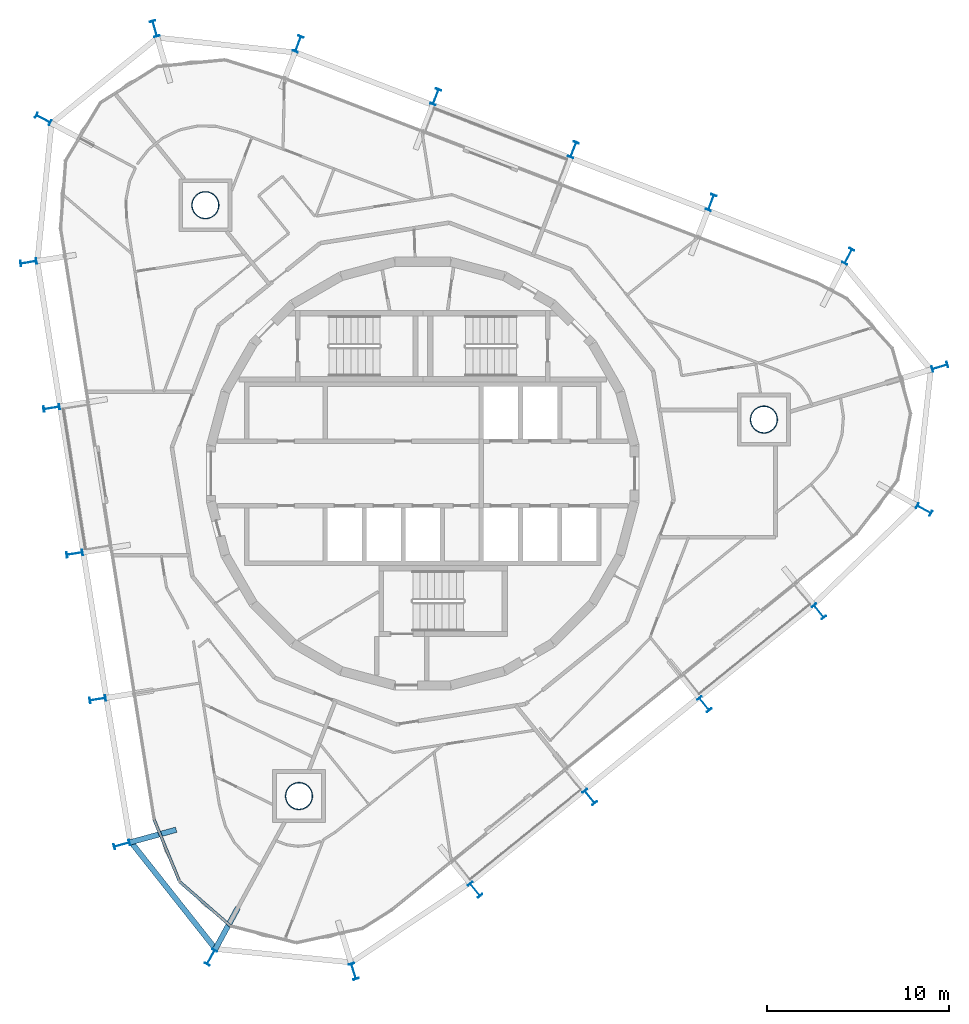
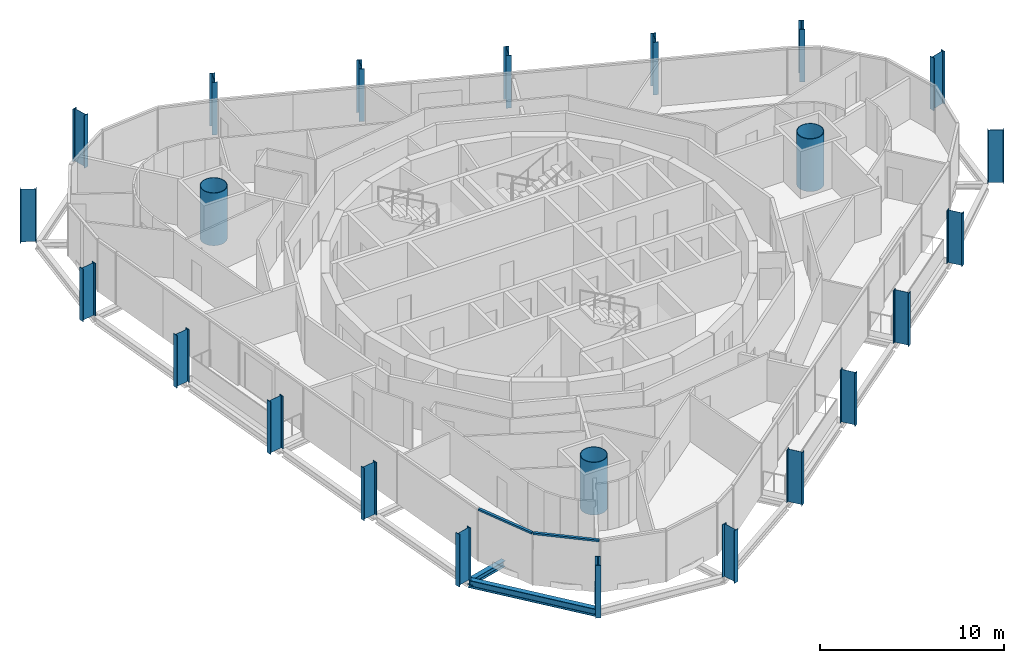
# One storey, part 1 of 17: 23 columns, 3 beams, 2 members, 1 element without a shape of its own.
"""IFC4 building model written with IfcOpenShell, lengths in metres."""

from ifc_helpers import new_model, si_unit, direction, frame, origin, origin_2d, place, context, subcontext, project, spatial, rectangle, hollow_circle, i_section, extrude, material, layer, layer_set, material_profile, profile_set, type_object, element, aggregate, save


model = new_model("IFC4")

# Units and contexts
model_context = context("Model", 3, precision=1e-05, world=origin(), true_north=direction((0.0, 1.0)))
body_context = subcontext(model_context, "Body", "Model", "MODEL_VIEW")
ifc_project = project(units=[si_unit("LENGTHUNIT", "METRE"), si_unit("AREAUNIT", "SQUARE_METRE"), si_unit("VOLUMEUNIT", "CUBIC_METRE"), si_unit("PLANEANGLEUNIT", "RADIAN"), si_unit("MASSUNIT", "GRAM", prefix="KILO")], contexts=[model_context])

# Site, building, storey
site_placement = place(None, origin())
site = spatial("IfcSite", under=ifc_project, at=site_placement, CompositionType="ELEMENT")
building_placement = place(site_placement, origin())
building = spatial("IfcBuilding", under=site, at=building_placement, Name="Spindle Arch Residences", CompositionType="ELEMENT")
storey_placement = place(building_placement, frame((0.0, 0.0, 284.39990234375)))
storey = spatial("IfcBuildingStorey", under=building, at=storey_placement, Name="L73", CompositionType="ELEMENT", Elevation=284.39990234375)

# Columns
ifc_material_1 = material(Name="Steel S460ML, intumescent coating R 240", Category="steel")
ifc_material_profile_1 = material_profile(ifc_material_1, i_section(OverallWidth=0.300048828125, OverallDepth=0.89990234375, WebThickness=0.0185546875, FlangeThickness=0.034912109375, FilletRadius=0.030029296875, at=origin_2d()), Name="HEB 900")
ifc_profile_set_1 = profile_set([ifc_material_profile_1], Name="Steel S460ML, intumescent coating R 240")
column_type_1 = type_object("IfcColumnType", Name="Exoskeleton post HEB 900", PredefinedType="COLUMN", material=ifc_profile_set_1)
for number, where, z_axis, x_axis, name in (
    (1, (15.48291015625, -12.67822265625, -0.3798828125), (0.0, 0.0, 1.0), (-0.777146167973, -0.629320136024, 0.0), "Exoskeleton post 1"),
    (2, (21.78369140625, -7.575927734375, -0.3798828125), (0.0, 0.0, 1.0), (-0.777146167973, -0.629320136024, 0.0), "Exoskeleton post 2"),
    (3, (27.56494140625, -1.975830078125, -0.3798828125), (0.0, 0.0, 1.0), (-0.489802299008, -0.871833532211, 0.0), "Exoskeleton post 3"),
    (4, (28.43505859375, 5.86767578125, -0.3798828125), (0.0, 0.0, 1.0), (0.286784074183, -0.957995247794, 0.0), "Exoskeleton post 4"),
    (5, (23.398193359375, 11.94287109375, -0.3798828125), (0.0, 0.0, 1.0), (0.888285893192, -0.45929094478, 0.0), "Exoskeleton post 5"),
    (6, (15.853515625, 14.9052734375, -0.3798828125), (0.0, 0.0, 1.0), (0.933580354843, -0.35836813621, 0.0), "Exoskeleton post 6"),
    (7, (8.2841796875, 17.810791015625, -0.3798828125), (0.0, 0.0, 1.0), (0.933580354843, -0.35836813621, 0.0), "Exoskeleton post 7"),
    (8, (0.715087890625, 20.71630859375, -0.3798828125), (0.0, 0.0, 1.0), (0.933580354843, -0.35836813621, 0.0), "Exoskeleton post 8"),
    (9, (-6.85400390625, 23.621826171875, -0.3798828125), (0.0, 0.0, 1.0), (0.933580354843, -0.35836813621, 0.0), "Exoskeleton post 9"),
    (10, (-14.7373046875, 24.468994140625, -0.3798828125), (0.0, 0.0, 1.0), (0.961245152333, 0.275695043693, 0.0), "Exoskeleton post 10"),
    (11, (-20.870361328125, 19.502685546875, -0.3798828125), (0.0, 0.0, 1.0), (0.469525073676, 0.882919138534, 0.0), "Exoskeleton post 11"),
    (12, (-21.6806640625, 11.615234375, -0.3798828125), (0.0, 0.0, 1.0), (-0.156434064006, 0.987688404113, 0.0), "Exoskeleton post 12"),
    (13, (-20.412353515625, 3.607666015625, -0.3798828125), (0.0, 0.0, 1.0), (-0.156434064006, 0.987688404113, 0.0), "Exoskeleton post 13"),
    (14, (-19.143798828125, -4.400146484375, -0.3798828125), (0.0, 0.0, 1.0), (-0.156434064006, 0.987688404113, 0.0), "Exoskeleton post 14"),
    (15, (-17.87548828125, -12.407958984375, -0.3798828125), (0.0, 0.0, 1.0), (-0.156434064006, 0.987688404113, 0.0), "Exoskeleton post 15"),
    (16, (-16.546630859375, -20.40380859375, -0.3798828125), (0.0, 0.0, 1.0), (-0.264568938302, 0.964366775084, 0.0), "Exoskeleton post 16"),
    (17, (-11.651611328125, -26.59375, -0.3798828125), (0.0, 0.0, 1.0), (-0.877434810632, 0.479695896472, 0.0), "Exoskeleton post 17"),
    (18, (-3.79833984375, -27.373291015625, -0.3798828125), (0.0, 0.0, 1.0), (-0.95461733225, -0.297835103654, 0.0), "Exoskeleton post 18"),
    (19, (2.88134765625, -22.8828125, -0.3798828125), (0.0, 0.0, 1.0), (-0.777146167973, -0.629320136024, 0.0), "Exoskeleton post 19"),
    (20, (9.18212890625, -17.780517578125, -0.3798828125), (0.0, 0.0, 1.0), (-0.777146167973, -0.629320136024, 0.0), "Exoskeleton post 20"),
):
    element("IfcColumn", number, at=place(storey_placement, frame(where, z_axis=z_axis, x_axis=x_axis)), inside=storey, type_object=column_type_1, Name=name, PredefinedType="COLUMN", context=body_context, shape_type="SweptSolid", body=[
        extrude(i_section(OverallWidth=0.300048828125, OverallDepth=0.89990234375, WebThickness=0.0185546875, FlangeThickness=0.034912109375, FilletRadius=0.030029296875, at=origin_2d()), origin(), (0.0, 0.0, 1.0), 3.5),
    ])
ifc_material_2 = material(Name="Concrete C50/60 filled steel tube S460ML, intumescent coating R 240", Category="concrete")
ifc_material_profile_2 = material_profile(ifc_material_2, hollow_circle(Radius=0.75, WallThickness=0.034912109375, at=origin_2d()), Name="CFT D1500x35")
ifc_profile_set_2 = profile_set([ifc_material_profile_2], Name="Concrete C50/60 filled steel tube S460ML, intumescent coating R 240")
column_type_2 = type_object("IfcColumnType", Name="Mega-column CFT D1500x35", PredefinedType="COLUMN", material=ifc_profile_set_2)
for number, where, z_axis, x_axis, name in (
    (21, (18.759521484375, 2.97119140625, -0.3798828125), (0.0, 0.0, 1.0), (1.0, 0.0, 0.0), "Mega-column 1"),
    (22, (-11.952880859375, 14.760498046875, -0.3798828125), (0.0, 0.0, 1.0), (1.0, 0.0, 0.0), "Mega-column 2"),
    (23, (-6.806640625, -17.731689453125, -0.3798828125), (0.0, 0.0, 1.0), (1.0, 0.0, 0.0), "Mega-column 3"),
):
    element("IfcColumn", number, at=place(storey_placement, frame(where, z_axis=z_axis, x_axis=x_axis)), inside=storey, type_object=column_type_2, Name=name, PredefinedType="COLUMN", context=body_context, shape_type="SweptSolid", body=[
        extrude(hollow_circle(Radius=0.75, WallThickness=0.034912109375, at=origin_2d()), origin(), (0.0, 0.0, 1.0), 3.5),
    ])

# Curtain wall, members
ifc_material_3 = material(Name="Aluminium bronze unitised frame with tinted glass", Category="aluminium")
ifc_layer = layer(ifc_material_3, 0.159912109375)
ifc_layer_set = layer_set([ifc_layer], Name="CW-D corner wall on the fillet arcs")
curtain_wall_type = type_object("IfcCurtainWallType", Name="CW-D corner wall on the fillet arcs", PredefinedType="NOTDEFINED", material=ifc_layer_set)
curtain_wall_placement = place(storey_placement, origin())
curtain_wall = element("IfcCurtainWall", 24, at=curtain_wall_placement, inside=storey, type_object=curtain_wall_type, Name="CW-D L73 run 5", PredefinedType="NOTDEFINED")
ifc_material_4 = material(Name="Aluminium bronze anodised transom", Category="aluminium")
ifc_material_profile_3 = material_profile(ifc_material_4, rectangle(XDim=0.159912109375, YDim=0.1201171875, at=origin_2d()), Name="TR 120x160")
ifc_profile_set_3 = profile_set([ifc_material_profile_3], Name="Aluminium bronze anodised transom")
member_type = type_object("IfcMemberType", Name="Bronze transom 120x160", PredefinedType="USERDEFINED", material=ifc_profile_set_3)
member_1_placement = place(storey_placement, frame((-14.775634765625, -19.0234375, 3.06005859375), z_axis=(0.379996173922, -0.924988058196, 0.0), x_axis=(0.924988058196, 0.379996173922, 0.0)))
member_1 = element("IfcMember", 25, at=member_1_placement, type_object=member_type, Name="CW-D transom 01", ObjectType="TRANSOM", PredefinedType="USERDEFINED", context=body_context, shape_type="SweptSolid", body=[
    extrude(rectangle(XDim=0.159912109375, YDim=0.1201171875, at=origin_2d()), origin(), (0.0, 0.0, 1.0), 3.666748046875),
])
member_2_placement = place(storey_placement, frame((-13.348388671875, -22.462646484375, 3.06005859375), z_axis=(0.754721618998, -0.656045179708, 0.0), x_axis=(0.656045179708, 0.754721618998, 0.0)))
member_2 = element("IfcMember", 26, at=member_2_placement, type_object=member_type, Name="CW-D transom 02", ObjectType="TRANSOM", PredefinedType="USERDEFINED", context=body_context, shape_type="SweptSolid", body=[
    extrude(rectangle(XDim=0.159912109375, YDim=0.1201171875, at=origin_2d()), origin(), (0.0, 0.0, 1.0), 3.666748046875),
])
aggregate(curtain_wall, [member_1, member_2])

# Beams
ifc_material_5 = material(Name="Steel S460ML, intumescent coating R 120", Category="steel")
ifc_material_profile_4 = material_profile(ifc_material_5, i_section(OverallWidth=0.300048828125, OverallDepth=0.5, WebThickness=0.014404296875, FlangeThickness=0.028076171875, FilletRadius=0.027099609375, at=origin_2d()), Name="HEB 500")
ifc_profile_set_4 = profile_set([ifc_material_profile_4], Name="Steel S460ML, intumescent coating R 120")
beam_type_1 = type_object("IfcBeamType", Name="Exoskeleton edge beam HEB 500", PredefinedType="BEAM", material=ifc_profile_set_4)
beam_1_placement = place(storey_placement, frame((-16.089599609375, -20.2080078125, -0.6298828125), z_axis=(0.62029234527, -0.784370707255, 0.0), x_axis=(0.784370707255, 0.62029234527, 0.0)))
element("IfcBeam", 27, at=beam_1_placement, inside=storey, type_object=beam_type_1, Name="Exoskeleton edge beam 16", PredefinedType="BEAM", context=body_context, shape_type="SweptSolid", body=[
    extrude(i_section(OverallWidth=0.300048828125, OverallDepth=0.5, WebThickness=0.014404296875, FlangeThickness=0.028076171875, FilletRadius=0.027099609375, at=origin_2d()), origin(), (0.0, 0.0, 1.0), 7.631591796875),
])
ifc_material_6 = material(Name="Steel S460ML, intumescent coating R 120", Category="steel")
ifc_material_profile_5 = material_profile(ifc_material_6, i_section(OverallWidth=0.300048828125, OverallDepth=0.389892578125, WebThickness=0.010986328125, FlangeThickness=0.01904296875, FilletRadius=0.027099609375, at=origin_2d()), Name="HEA 400")
ifc_profile_set_5 = profile_set([ifc_material_profile_5], Name="Steel S460ML, intumescent coating R 120")
beam_type_2 = type_object("IfcBeamType", Name="Floor outrigger HEA 400", PredefinedType="BEAM", material=ifc_profile_set_5)
beam_2_placement = place(storey_placement, frame((-16.11279296875, -20.28466796875, -0.574951171875), z_axis=(0.964363028022, 0.264582596148, 0.0), x_axis=(-0.264582596148, 0.964363028022, 0.0)))
element("IfcBeam", 28, at=beam_2_placement, inside=storey, type_object=beam_type_2, Name="Floor outrigger 16", PredefinedType="BEAM", context=body_context, shape_type="SweptSolid", body=[
    extrude(i_section(OverallWidth=0.300048828125, OverallDepth=0.389892578125, WebThickness=0.010986328125, FlangeThickness=0.01904296875, FilletRadius=0.027099609375, at=origin_2d()), origin(), (0.0, 0.0, 1.0), 2.650146484375),
])
beam_3_placement = place(storey_placement, frame((-11.435546875, -26.198974609375, -0.574951171875), z_axis=(0.479710393666, 0.877426884822, 0.0), x_axis=(-0.877426884822, 0.479710393666, 0.0)))
element("IfcBeam", 29, at=beam_3_placement, inside=storey, type_object=beam_type_2, Name="Floor outrigger 17", PredefinedType="BEAM", context=body_context, shape_type="SweptSolid", body=[
    extrude(i_section(OverallWidth=0.300048828125, OverallDepth=0.389892578125, WebThickness=0.010986328125, FlangeThickness=0.01904296875, FilletRadius=0.027099609375, at=origin_2d()), origin(), (0.0, 0.0, 1.0), 2.64990234375),
])

save(model, "model.ifc")
